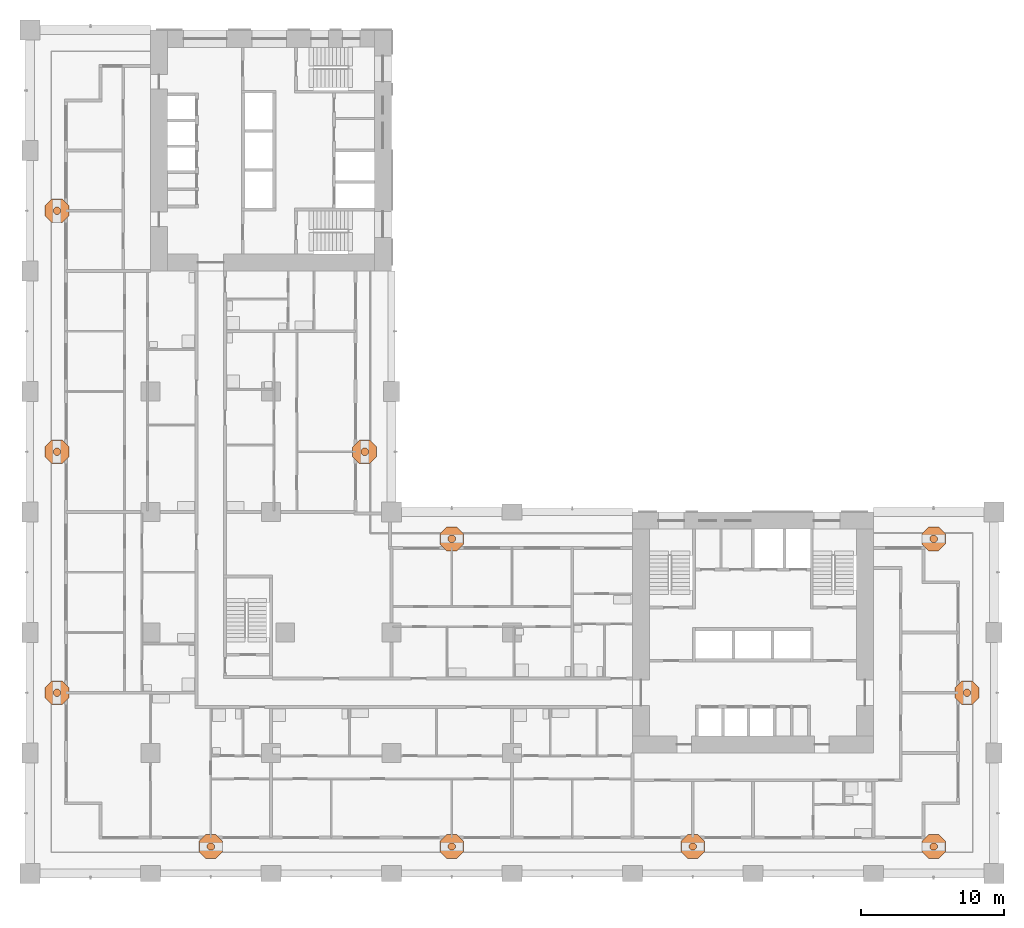
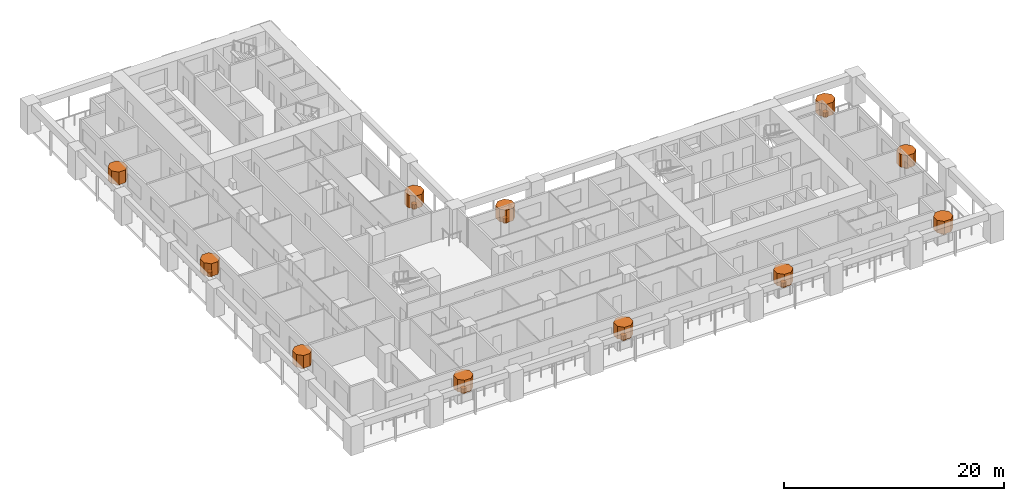
# One storey, part 20 of 20: 22 geographic elements.
"""IFC4 building model written with IfcOpenShell, lengths in metres."""

from ifc_helpers import new_model, si_unit, direction, frame, origin, place, context, subcontext, project, spatial, polyline, outline, extrude, material, element, save


model = new_model("IFC4")

# Units and contexts
model_context = context("Model", 3, precision=1e-05, world=origin(), true_north=direction((0.0, 1.0)))
body_context = subcontext(model_context, "Body", "Model", "MODEL_VIEW")
ifc_project = project(units=[si_unit("LENGTHUNIT", "METRE"), si_unit("AREAUNIT", "SQUARE_METRE"), si_unit("VOLUMEUNIT", "CUBIC_METRE"), si_unit("PLANEANGLEUNIT", "RADIAN"), si_unit("MASSUNIT", "GRAM", prefix="KILO")], contexts=[model_context])

# Site, building, storey
site_placement = place(None, origin())
site = spatial("IfcSite", under=ifc_project, at=site_placement, CompositionType="ELEMENT")
building_placement = place(site_placement, origin())
building = spatial("IfcBuilding", under=site, at=building_placement, Name="Vermilion Gate Residences", CompositionType="ELEMENT")
storey_placement = place(building_placement, frame((0.0, 0.0, 42.699951171875)))
storey = spatial("IfcBuildingStorey", under=building, at=storey_placement, Name="L09", CompositionType="ELEMENT", Elevation=42.699951171875)

# Geographic elements
ifc_material = material(Name="Foliage")
geographic_element_1_placement = place(storey_placement, frame((0.0, 0.0, 0.900146484375)))
element("IfcGeographicElement", 1, at=geographic_element_1_placement, inside=storey, material=ifc_material, Name="Tree (maple)", ObjectType="TREE", PredefinedType="USERDEFINED", context=body_context, shape_type="SweptSolid", body=[
    extrude(outline(polyline([(12.85400390625, 1.980224609375), (12.705078125, 2.129150390625), (12.494873046875, 2.129150390625), (12.345947265625, 1.980224609375), (12.345947265625, 1.769775390625), (12.494873046875, 1.620849609375), (12.705078125, 1.620849609375), (12.85400390625, 1.769775390625), (12.85400390625, 1.980224609375)])), origin(), (0.0, 0.0, 1.0), 0.52001953125),
])
geographic_element_2_placement = place(storey_placement, frame((0.0, 0.0, 1.420166015625)))
element("IfcGeographicElement", 2, at=geographic_element_2_placement, inside=storey, material=ifc_material, Name="Tree crown (maple)", ObjectType="TREE", PredefinedType="USERDEFINED", context=body_context, shape_type="SweptSolid", body=[
    extrude(outline(polyline([(13.431396484375, 2.219482421875), (12.9443359375, 2.70654296875), (12.255615234375, 2.70654296875), (11.7685546875, 2.219482421875), (11.7685546875, 1.530517578125), (12.255615234375, 1.04345703125), (12.9443359375, 1.04345703125), (13.431396484375, 1.530517578125), (13.431396484375, 2.219482421875)])), origin(), (0.0, 0.0, 1.0), 1.39990234375),
])
geographic_element_3_placement = place(storey_placement, frame((0.0, 0.0, 0.900146484375)))
element("IfcGeographicElement", 3, at=geographic_element_3_placement, inside=storey, material=ifc_material, Name="Tree (black pine)", ObjectType="TREE", PredefinedType="USERDEFINED", context=body_context, shape_type="SweptSolid", body=[
    extrude(outline(polyline([(29.654052734375, 1.980224609375), (29.505126953125, 2.129150390625), (29.294921875, 2.129150390625), (29.14599609375, 1.980224609375), (29.14599609375, 1.769775390625), (29.294921875, 1.620849609375), (29.505126953125, 1.620849609375), (29.654052734375, 1.769775390625), (29.654052734375, 1.980224609375)])), origin(), (0.0, 0.0, 1.0), 0.52001953125),
])
geographic_element_4_placement = place(storey_placement, frame((0.0, 0.0, 1.420166015625)))
element("IfcGeographicElement", 4, at=geographic_element_4_placement, inside=storey, material=ifc_material, Name="Tree crown (black pine)", ObjectType="TREE", PredefinedType="USERDEFINED", context=body_context, shape_type="SweptSolid", body=[
    extrude(outline(polyline([(30.2314453125, 2.219482421875), (29.744384765625, 2.70654296875), (29.0556640625, 2.70654296875), (28.568603515625, 2.219482421875), (28.568603515625, 1.530517578125), (29.0556640625, 1.04345703125), (29.744384765625, 1.04345703125), (30.2314453125, 1.530517578125), (30.2314453125, 2.219482421875)])), origin(), (0.0, 0.0, 1.0), 1.39990234375),
])
geographic_element_5_placement = place(storey_placement, frame((0.0, 0.0, 0.900146484375)))
element("IfcGeographicElement", 5, at=geographic_element_5_placement, inside=storey, material=ifc_material, Name="Tree (maple)", ObjectType="TREE", PredefinedType="USERDEFINED", context=body_context, shape_type="SweptSolid", body=[
    extrude(outline(polyline([(46.4541015625, 1.980224609375), (46.30517578125, 2.129150390625), (46.0947265625, 2.129150390625), (45.94580078125, 1.980224609375), (45.94580078125, 1.769775390625), (46.0947265625, 1.620849609375), (46.30517578125, 1.620849609375), (46.4541015625, 1.769775390625), (46.4541015625, 1.980224609375)])), origin(), (0.0, 0.0, 1.0), 0.52001953125),
])
geographic_element_6_placement = place(storey_placement, frame((0.0, 0.0, 1.420166015625)))
element("IfcGeographicElement", 6, at=geographic_element_6_placement, inside=storey, material=ifc_material, Name="Tree crown (maple)", ObjectType="TREE", PredefinedType="USERDEFINED", context=body_context, shape_type="SweptSolid", body=[
    extrude(outline(polyline([(47.031494140625, 2.219482421875), (46.54443359375, 2.70654296875), (45.855712890625, 2.70654296875), (45.368408203125, 2.219482421875), (45.368408203125, 1.530517578125), (45.855712890625, 1.04345703125), (46.54443359375, 1.04345703125), (47.031494140625, 1.530517578125), (47.031494140625, 2.219482421875)])), origin(), (0.0, 0.0, 1.0), 1.39990234375),
])
geographic_element_7_placement = place(storey_placement, frame((0.0, 0.0, 0.900146484375)))
element("IfcGeographicElement", 7, at=geographic_element_7_placement, inside=storey, material=ifc_material, Name="Tree (black pine)", ObjectType="TREE", PredefinedType="USERDEFINED", context=body_context, shape_type="SweptSolid", body=[
    extrude(outline(polyline([(63.254150390625, 1.980224609375), (63.105224609375, 2.129150390625), (62.894775390625, 2.129150390625), (62.745849609375, 1.980224609375), (62.745849609375, 1.769775390625), (62.894775390625, 1.620849609375), (63.105224609375, 1.620849609375), (63.254150390625, 1.769775390625), (63.254150390625, 1.980224609375)])), origin(), (0.0, 0.0, 1.0), 0.52001953125),
])
geographic_element_8_placement = place(storey_placement, frame((0.0, 0.0, 1.420166015625)))
element("IfcGeographicElement", 8, at=geographic_element_8_placement, inside=storey, material=ifc_material, Name="Tree crown (black pine)", ObjectType="TREE", PredefinedType="USERDEFINED", context=body_context, shape_type="SweptSolid", body=[
    extrude(outline(polyline([(63.83154296875, 2.219482421875), (63.344482421875, 2.70654296875), (62.655517578125, 2.70654296875), (62.16845703125, 2.219482421875), (62.16845703125, 1.530517578125), (62.655517578125, 1.04345703125), (63.344482421875, 1.04345703125), (63.83154296875, 1.530517578125), (63.83154296875, 2.219482421875)])), origin(), (0.0, 0.0, 1.0), 1.39990234375),
])
geographic_element_9_placement = place(storey_placement, frame((0.0, 0.0, 0.900146484375)))
element("IfcGeographicElement", 9, at=geographic_element_9_placement, inside=storey, material=ifc_material, Name="Tree (maple)", ObjectType="TREE", PredefinedType="USERDEFINED", context=body_context, shape_type="SweptSolid", body=[
    extrude(outline(polyline([(65.5791015625, 12.705078125), (65.43017578125, 12.85400390625), (65.2197265625, 12.85400390625), (65.07080078125, 12.705078125), (65.07080078125, 12.494873046875), (65.2197265625, 12.345947265625), (65.43017578125, 12.345947265625), (65.5791015625, 12.494873046875), (65.5791015625, 12.705078125)])), origin(), (0.0, 0.0, 1.0), 0.52001953125),
])
geographic_element_10_placement = place(storey_placement, frame((0.0, 0.0, 1.420166015625)))
element("IfcGeographicElement", 10, at=geographic_element_10_placement, inside=storey, material=ifc_material, Name="Tree crown (maple)", ObjectType="TREE", PredefinedType="USERDEFINED", context=body_context, shape_type="SweptSolid", body=[
    extrude(outline(polyline([(66.156494140625, 12.9443359375), (65.66943359375, 13.431396484375), (64.980712890625, 13.431396484375), (64.493408203125, 12.9443359375), (64.493408203125, 12.255615234375), (64.980712890625, 11.7685546875), (65.66943359375, 11.7685546875), (66.156494140625, 12.255615234375), (66.156494140625, 12.9443359375)])), origin(), (0.0, 0.0, 1.0), 1.39990234375),
])
geographic_element_11_placement = place(storey_placement, frame((0.0, 0.0, 0.900146484375)))
element("IfcGeographicElement", 11, at=geographic_element_11_placement, inside=storey, material=ifc_material, Name="Tree (black pine)", ObjectType="TREE", PredefinedType="USERDEFINED", context=body_context, shape_type="SweptSolid", body=[
    extrude(outline(polyline([(29.654052734375, 23.43017578125), (29.505126953125, 23.5791015625), (29.294921875, 23.5791015625), (29.14599609375, 23.43017578125), (29.14599609375, 23.2197265625), (29.294921875, 23.07080078125), (29.505126953125, 23.07080078125), (29.654052734375, 23.2197265625), (29.654052734375, 23.43017578125)])), origin(), (0.0, 0.0, 1.0), 0.52001953125),
])
geographic_element_12_placement = place(storey_placement, frame((0.0, 0.0, 1.420166015625)))
element("IfcGeographicElement", 12, at=geographic_element_12_placement, inside=storey, material=ifc_material, Name="Tree crown (black pine)", ObjectType="TREE", PredefinedType="USERDEFINED", context=body_context, shape_type="SweptSolid", body=[
    extrude(outline(polyline([(30.2314453125, 23.66943359375), (29.744384765625, 24.156494140625), (29.0556640625, 24.156494140625), (28.568603515625, 23.66943359375), (28.568603515625, 22.980712890625), (29.0556640625, 22.493408203125), (29.744384765625, 22.493408203125), (30.2314453125, 22.980712890625), (30.2314453125, 23.66943359375)])), origin(), (0.0, 0.0, 1.0), 1.39990234375),
])
geographic_element_13_placement = place(storey_placement, frame((0.0, 0.0, 0.900146484375)))
element("IfcGeographicElement", 13, at=geographic_element_13_placement, inside=storey, material=ifc_material, Name="Tree (black pine)", ObjectType="TREE", PredefinedType="USERDEFINED", context=body_context, shape_type="SweptSolid", body=[
    extrude(outline(polyline([(63.254150390625, 23.43017578125), (63.105224609375, 23.5791015625), (62.894775390625, 23.5791015625), (62.745849609375, 23.43017578125), (62.745849609375, 23.2197265625), (62.894775390625, 23.07080078125), (63.105224609375, 23.07080078125), (63.254150390625, 23.2197265625), (63.254150390625, 23.43017578125)])), origin(), (0.0, 0.0, 1.0), 0.52001953125),
])
geographic_element_14_placement = place(storey_placement, frame((0.0, 0.0, 1.420166015625)))
element("IfcGeographicElement", 14, at=geographic_element_14_placement, inside=storey, material=ifc_material, Name="Tree crown (black pine)", ObjectType="TREE", PredefinedType="USERDEFINED", context=body_context, shape_type="SweptSolid", body=[
    extrude(outline(polyline([(63.83154296875, 23.66943359375), (63.344482421875, 24.156494140625), (62.655517578125, 24.156494140625), (62.16845703125, 23.66943359375), (62.16845703125, 22.980712890625), (62.655517578125, 22.493408203125), (63.344482421875, 22.493408203125), (63.83154296875, 22.980712890625), (63.83154296875, 23.66943359375)])), origin(), (0.0, 0.0, 1.0), 1.39990234375),
])
geographic_element_15_placement = place(storey_placement, frame((0.0, 0.0, 0.900146484375)))
element("IfcGeographicElement", 15, at=geographic_element_15_placement, inside=storey, material=ifc_material, Name="Tree (black pine)", ObjectType="TREE", PredefinedType="USERDEFINED", context=body_context, shape_type="SweptSolid", body=[
    extrude(outline(polyline([(23.5791015625, 29.505126953125), (23.43017578125, 29.654052734375), (23.2197265625, 29.654052734375), (23.07080078125, 29.505126953125), (23.07080078125, 29.294921875), (23.2197265625, 29.14599609375), (23.43017578125, 29.14599609375), (23.5791015625, 29.294921875), (23.5791015625, 29.505126953125)])), origin(), (0.0, 0.0, 1.0), 0.52001953125),
])
geographic_element_16_placement = place(storey_placement, frame((0.0, 0.0, 1.420166015625)))
element("IfcGeographicElement", 16, at=geographic_element_16_placement, inside=storey, material=ifc_material, Name="Tree crown (black pine)", ObjectType="TREE", PredefinedType="USERDEFINED", context=body_context, shape_type="SweptSolid", body=[
    extrude(outline(polyline([(24.156494140625, 29.744384765625), (23.66943359375, 30.2314453125), (22.980712890625, 30.2314453125), (22.493408203125, 29.744384765625), (22.493408203125, 29.0556640625), (22.980712890625, 28.568603515625), (23.66943359375, 28.568603515625), (24.156494140625, 29.0556640625), (24.156494140625, 29.744384765625)])), origin(), (0.0, 0.0, 1.0), 1.39990234375),
])
geographic_element_17_placement = place(storey_placement, frame((0.0, 0.0, 0.900146484375)))
element("IfcGeographicElement", 17, at=geographic_element_17_placement, inside=storey, material=ifc_material, Name="Tree (maple)", ObjectType="TREE", PredefinedType="USERDEFINED", context=body_context, shape_type="SweptSolid", body=[
    extrude(outline(polyline([(2.129150390625, 12.705078125), (1.980224609375, 12.85400390625), (1.769775390625, 12.85400390625), (1.620849609375, 12.705078125), (1.620849609375, 12.494873046875), (1.769775390625, 12.345947265625), (1.980224609375, 12.345947265625), (2.129150390625, 12.494873046875), (2.129150390625, 12.705078125)])), origin(), (0.0, 0.0, 1.0), 0.52001953125),
])
geographic_element_18_placement = place(storey_placement, frame((0.0, 0.0, 1.420166015625)))
element("IfcGeographicElement", 18, at=geographic_element_18_placement, inside=storey, material=ifc_material, Name="Tree crown (maple)", ObjectType="TREE", PredefinedType="USERDEFINED", context=body_context, shape_type="SweptSolid", body=[
    extrude(outline(polyline([(2.70654296875, 12.9443359375), (2.219482421875, 13.431396484375), (1.530517578125, 13.431396484375), (1.04345703125, 12.9443359375), (1.04345703125, 12.255615234375), (1.530517578125, 11.7685546875), (2.219482421875, 11.7685546875), (2.70654296875, 12.255615234375), (2.70654296875, 12.9443359375)])), origin(), (0.0, 0.0, 1.0), 1.39990234375),
])
geographic_element_19_placement = place(storey_placement, frame((0.0, 0.0, 0.900146484375)))
element("IfcGeographicElement", 19, at=geographic_element_19_placement, inside=storey, material=ifc_material, Name="Tree (black pine)", ObjectType="TREE", PredefinedType="USERDEFINED", context=body_context, shape_type="SweptSolid", body=[
    extrude(outline(polyline([(2.129150390625, 29.505126953125), (1.980224609375, 29.654052734375), (1.769775390625, 29.654052734375), (1.620849609375, 29.505126953125), (1.620849609375, 29.294921875), (1.769775390625, 29.14599609375), (1.980224609375, 29.14599609375), (2.129150390625, 29.294921875), (2.129150390625, 29.505126953125)])), origin(), (0.0, 0.0, 1.0), 0.52001953125),
])
geographic_element_20_placement = place(storey_placement, frame((0.0, 0.0, 1.420166015625)))
element("IfcGeographicElement", 20, at=geographic_element_20_placement, inside=storey, material=ifc_material, Name="Tree crown (black pine)", ObjectType="TREE", PredefinedType="USERDEFINED", context=body_context, shape_type="SweptSolid", body=[
    extrude(outline(polyline([(2.70654296875, 29.744384765625), (2.219482421875, 30.2314453125), (1.530517578125, 30.2314453125), (1.04345703125, 29.744384765625), (1.04345703125, 29.0556640625), (1.530517578125, 28.568603515625), (2.219482421875, 28.568603515625), (2.70654296875, 29.0556640625), (2.70654296875, 29.744384765625)])), origin(), (0.0, 0.0, 1.0), 1.39990234375),
])
geographic_element_21_placement = place(storey_placement, frame((0.0, 0.0, 0.900146484375)))
element("IfcGeographicElement", 21, at=geographic_element_21_placement, inside=storey, material=ifc_material, Name="Tree (maple)", ObjectType="TREE", PredefinedType="USERDEFINED", context=body_context, shape_type="SweptSolid", body=[
    extrude(outline(polyline([(2.129150390625, 46.30517578125), (1.980224609375, 46.4541015625), (1.769775390625, 46.4541015625), (1.620849609375, 46.30517578125), (1.620849609375, 46.0947265625), (1.769775390625, 45.94580078125), (1.980224609375, 45.94580078125), (2.129150390625, 46.0947265625), (2.129150390625, 46.30517578125)])), origin(), (0.0, 0.0, 1.0), 0.52001953125),
])
geographic_element_22_placement = place(storey_placement, frame((0.0, 0.0, 1.420166015625)))
element("IfcGeographicElement", 22, at=geographic_element_22_placement, inside=storey, material=ifc_material, Name="Tree crown (maple)", ObjectType="TREE", PredefinedType="USERDEFINED", context=body_context, shape_type="SweptSolid", body=[
    extrude(outline(polyline([(2.70654296875, 46.54443359375), (2.219482421875, 47.031494140625), (1.530517578125, 47.031494140625), (1.04345703125, 46.54443359375), (1.04345703125, 45.855712890625), (1.530517578125, 45.368408203125), (2.219482421875, 45.368408203125), (2.70654296875, 45.855712890625), (2.70654296875, 46.54443359375)])), origin(), (0.0, 0.0, 1.0), 1.39990234375),
])

save(model, "model.ifc")
